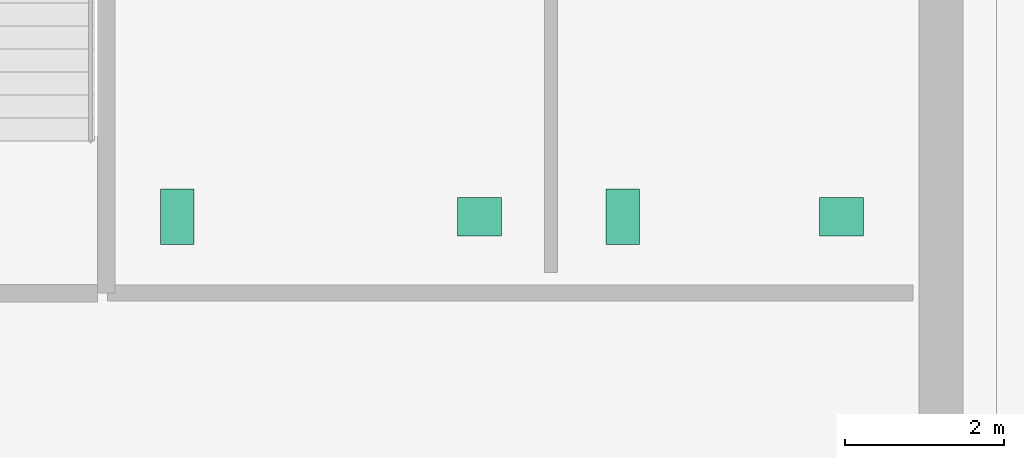
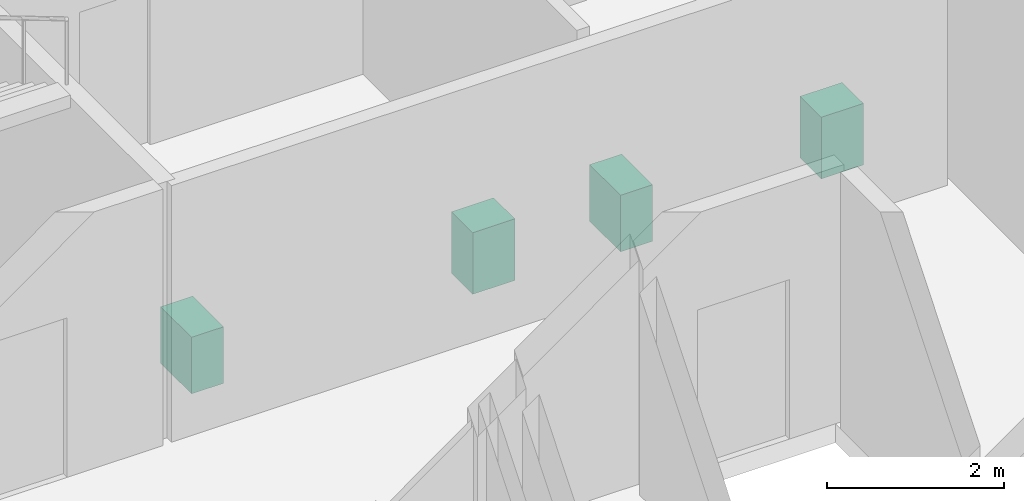
# One storey, part 10 of 10: 4 sanitary terminals.
"""IFC4 building model written with IfcOpenShell, lengths in metres."""

import ifcopenshell
import ifcopenshell.guid

model = None  # the IFC model being written
_history = None  # IfcOwnerHistory: only IFC2X3 demands one
_inside = {}  # id of a spatial element -> (the spatial element, [elements in it])
_under = {}  # id of a project, library or spatial element -> (it, [spatial elements below it])
_declared = {}  # id of a project -> (the project, [libraries it declares])
_typed = {}  # id of a type object -> (the type object, [elements of that type])
_made_of = {}  # id of a material, layer set ... -> (it, [elements and type objects made of it])


def new_model(schema):
    """Start an empty IFC model of exactly this schema.

    Asked for "IFC4X3", IfcOpenShell would pick the latest addendum, in which some entities
    have other attributes; the version numbers below select the first issue.
    IFC2X3 requires an IfcOwnerHistory on every rooted entity: one is made here for all.
    """
    global model, _history
    if schema == "IFC4X3":
        model = ifcopenshell.file(schema_version=(4, 3, 0, 0))
    else:
        model = ifcopenshell.file(schema=schema)
    _inside.clear()
    _under.clear()
    _declared.clear()
    _typed.clear()
    _made_of.clear()
    _history = None
    if model.schema == "IFC2X3":
        org = make("IfcOrganization", Name="unknown")
        user = make(
            "IfcPersonAndOrganization",
            ThePerson=make("IfcPerson", FamilyName="unknown"),
            TheOrganization=org,
        )
        app = make(
            "IfcApplication",
            ApplicationDeveloper=org,
            Version="unknown",
            ApplicationFullName="unknown",
            ApplicationIdentifier="unknown",
        )
        _history = make(
            "IfcOwnerHistory",
            OwningUser=user,
            OwningApplication=app,
            ChangeAction="ADDED",
            CreationDate=0,
        )
    return model


def make(cls, **values):
    """One entity of the class cls with the attributes given. An attribute that is None is left unset."""
    return model.create_entity(
        cls, **{name: value for name, value in values.items() if value is not None}
    )


def rooted(cls, **values):
    """An entity with a GlobalId (a new one), such as an element, a storey or a relation."""
    return make(cls, GlobalId=ifcopenshell.guid.new(), OwnerHistory=_history, **values)


def si_unit(unit_type, name, prefix=None):
    """IfcSIUnit, for example si_unit("LENGTHUNIT", "METRE", prefix="MILLI")."""
    return make("IfcSIUnit", UnitType=unit_type, Prefix=prefix, Name=name)


def assignment(units):
    """IfcUnitAssignment: the units of a project."""
    return None if units is None else make("IfcUnitAssignment", Units=units)


def point(xyz):
    """IfcCartesianPoint."""
    return None if xyz is None else make("IfcCartesianPoint", Coordinates=xyz)


def direction(xyz):
    """IfcDirection."""
    return None if xyz is None else make("IfcDirection", DirectionRatios=xyz)


def frame(location, z_axis=None, x_axis=None):
    """IfcAxis2Placement3D, a coordinate frame: its origin and axes. An axis left out is left unset."""
    return make(
        "IfcAxis2Placement3D",
        Location=point(location),
        Axis=direction(z_axis),
        RefDirection=direction(x_axis),
    )


def frame_2d(location, x_axis=None):
    """IfcAxis2Placement2D, a coordinate frame in the plane: its origin and x axis."""
    return make(
        "IfcAxis2Placement2D", Location=point(location), RefDirection=direction(x_axis)
    )


def origin():
    """The frame at (0, 0, 0) with its axes left unset."""
    return frame((0.0, 0.0, 0.0))


def origin_2d():
    """The frame at (0, 0) in the plane with its x axis left unset."""
    return frame_2d((0.0, 0.0))


def place(relative_to, where):
    """IfcLocalPlacement: puts the frame where relative to a parent placement (None: the world)."""
    return make(
        "IfcLocalPlacement", PlacementRelTo=relative_to, RelativePlacement=where
    )


def context(
    kind, dimensions, precision=None, world=None, true_north=None, identifier=None
):
    """IfcGeometricRepresentationContext, for example the 3D "Model" context."""
    return make(
        "IfcGeometricRepresentationContext",
        ContextIdentifier=identifier,
        ContextType=kind,
        CoordinateSpaceDimension=dimensions,
        Precision=precision,
        WorldCoordinateSystem=world,
        TrueNorth=true_north,
    )


def subcontext(parent, identifier, kind, view, scale=None):
    """IfcGeometricRepresentationSubContext, for example "Body" below "Model"."""
    return make(
        "IfcGeometricRepresentationSubContext",
        ContextIdentifier=identifier,
        ContextType=kind,
        ParentContext=parent,
        TargetScale=scale,
        TargetView=view,
    )


def project(units=None, contexts=None):
    """IfcProject with its units and contexts."""
    return rooted(
        "IfcProject",
        Name="project",
        RepresentationContexts=contexts,
        UnitsInContext=assignment(units),
    )


def spatial(cls, under=None, at=None, **own):
    """A site, building, storey or space (cls), placed at a placement, below another one or the project."""
    s = rooted(cls, ObjectPlacement=at, **own)
    if under is not None:
        _under.setdefault(under.id(), (under, []))[1].append(s)
    return s


def profile(cls, at=None, kind="AREA", **sizes):
    """A parametric profile (cls). Its sizes go by their IFC names, for example OverallWidth=200.0."""
    return make(cls, ProfileType=kind, Position=at, **sizes)


def rectangle(**sizes):
    """IfcRectangleProfileDef."""
    return profile("IfcRectangleProfileDef", **sizes)


def extrude(swept, where, along, depth):
    """IfcExtrudedAreaSolid: the profile swept, set in the frame where, extruded along a direction by depth."""
    return make(
        "IfcExtrudedAreaSolid",
        SweptArea=swept,
        Position=where,
        ExtrudedDirection=direction(along),
        Depth=depth,
    )


def shape(context_of_items, identifier, shape_type, items):
    """IfcShapeRepresentation: the items that make up one representation, for example the "Body"."""
    return make(
        "IfcShapeRepresentation",
        ContextOfItems=context_of_items,
        RepresentationIdentifier=identifier,
        RepresentationType=shape_type,
        Items=items,
    )


def material(Name=None, Category=None):
    """IfcMaterial."""
    return make("IfcMaterial", Name=Name, Category=Category)


def made_of(thing, what):
    """Note that an element or type object is made of a material, layer set ...; save() writes the relation."""
    if what is not None:
        _made_of.setdefault(what.id(), (what, []))[1].append(thing)
    return thing


def type_object(cls, material=None, **own):
    """A type object (cls), such as IfcWallType, which elements share."""
    return made_of(rooted(cls, **own), material)


def element(
    cls,
    number,
    at=None,
    inside=None,
    cuts=None,
    type_object=None,
    material=None,
    context=None,
    identifier="Body",
    shape_type=None,
    held_by="IfcProductDefinitionShape",
    body=None,
    shapes=None,
    **own,
):
    """One element of the class cls, such as IfcWall. Its Tag is "e" and its number.

    at: its placement. inside: the storey or other place that contains it. cuts: it is an
    opening in that element (IfcRelVoidsElement). A single representation is given by context,
    identifier, shape_type and body (its items); several are given by shapes. held_by: the class
    of the entity that holds the representations. save() writes the other relations.
    """
    e = rooted(cls, Tag="e%d" % number, ObjectPlacement=at, **own)
    if body is not None:
        shapes = [shape(context, identifier, shape_type, body)]
    if shapes is not None:
        e.Representation = make(held_by, Representations=shapes)
    if inside is not None:
        _inside.setdefault(inside.id(), (inside, []))[1].append(e)
    if cuts is not None:
        rooted(
            "IfcRelVoidsElement", RelatingBuildingElement=cuts, RelatedOpeningElement=e
        )
    if type_object is not None:
        _typed.setdefault(type_object.id(), (type_object, []))[1].append(e)
    return made_of(e, material)


def aggregate(whole, parts):
    """IfcRelAggregates: a whole, such as a stair, and the parts it consists of."""
    return rooted("IfcRelAggregates", RelatingObject=whole, RelatedObjects=parts)


def save(model, path):
    """Write the relations noted so far, then the file.

    IfcRelAggregates (storeys below a building ...), IfcRelContainedInSpatialStructure (elements
    in a storey), IfcRelDefinesByType, IfcRelAssociatesMaterial and IfcRelDeclares: one each for
    every whole, place, type object, material and project.
    """
    for whole, parts in _under.values():
        aggregate(whole, parts)
    for where, things in _inside.values():
        rooted(
            "IfcRelContainedInSpatialStructure",
            RelatedElements=things,
            RelatingStructure=where,
        )
    for kind, things in _typed.values():
        rooted("IfcRelDefinesByType", RelatedObjects=things, RelatingType=kind)
    for what, things in _made_of.values():
        rooted("IfcRelAssociatesMaterial", RelatedObjects=things, RelatingMaterial=what)
    for by, libraries in _declared.values():
        rooted("IfcRelDeclares", RelatingContext=by, RelatedDefinitions=libraries)
    model.write(path)


model = new_model("IFC4")

# Units and contexts
model_context = context("Model", 3, precision=1e-05, world=origin(), true_north=direction((0.0, 1.0)))
body_context = subcontext(model_context, "Body", "Model", "MODEL_VIEW")
ifc_project = project(units=[si_unit("LENGTHUNIT", "METRE"), si_unit("AREAUNIT", "SQUARE_METRE"), si_unit("VOLUMEUNIT", "CUBIC_METRE"), si_unit("PLANEANGLEUNIT", "RADIAN"), si_unit("MASSUNIT", "GRAM", prefix="KILO")], contexts=[model_context])

# Site, building, storey
site_placement = place(None, origin())
site = spatial("IfcSite", under=ifc_project, at=site_placement, CompositionType="ELEMENT")
building_placement = place(site_placement, origin())
building = spatial("IfcBuilding", under=site, at=building_placement, Name="Norrvale University Quadrangle", CompositionType="ELEMENT")
storey_placement = place(building_placement, frame((0.0, 0.0, 296.199951171875)))
storey = spatial("IfcBuildingStorey", under=building, at=storey_placement, Name="L75", CompositionType="ELEMENT", Elevation=296.199951171875)

# Sanitary terminals
ifc_material = material(Name="Vitreous China Sanitaryware")
sanitary_terminal_type_1 = type_object("IfcSanitaryTerminalType", Name="Sanitary Wash Basin", PredefinedType="WASHHANDBASIN", material=ifc_material)
for number, where, z_axis, x_axis, name in (
    (1, (11.0, 41.10009765625, 0.0), (0.0, 0.0, 1.0), (1.0, 0.0, 0.0), "Accessible Countertop Washbasin L75-1"),
    (2, (15.550048828125, 41.10009765625, 0.0), (0.0, 0.0, 1.0), (1.0, 0.0, 0.0), "Accessible Countertop Washbasin L75-2"),
):
    element("IfcSanitaryTerminal", number, at=place(storey_placement, frame(where, z_axis=z_axis, x_axis=x_axis)), inside=storey, type_object=sanitary_terminal_type_1, Name=name, PredefinedType="WASHHANDBASIN", context=body_context, shape_type="SweptSolid", body=[
        extrude(rectangle(XDim=0.550048828125, YDim=0.47998046875, at=origin_2d()), origin(), (0.0, 0.0, 1.0), 0.85009765625),
    ])
sanitary_terminal_type_2 = type_object("IfcSanitaryTerminalType", Name="Sanitary Water Closet", PredefinedType="TOILETPAN", material=ifc_material)
for number, where, z_axis, x_axis, name in (
    (3, (7.199951171875, 41.10009765625, 0.0), (0.0, 0.0, 1.0), (1.0, 0.0, 0.0), "Wall-Hung Water Closet L75-1"),
    (4, (12.800048828125, 41.10009765625, 0.0), (0.0, 0.0, 1.0), (1.0, 0.0, 0.0), "Wall-Hung Water Closet L75-2"),
):
    element("IfcSanitaryTerminal", number, at=place(storey_placement, frame(where, z_axis=z_axis, x_axis=x_axis)), inside=storey, type_object=sanitary_terminal_type_2, Name=name, PredefinedType="TOILETPAN", context=body_context, shape_type="SweptSolid", body=[
        extrude(rectangle(XDim=0.419921875, YDim=0.699951171875, at=origin_2d()), origin(), (0.0, 0.0, 1.0), 0.780029296875),
    ])

save(model, "model.ifc")
